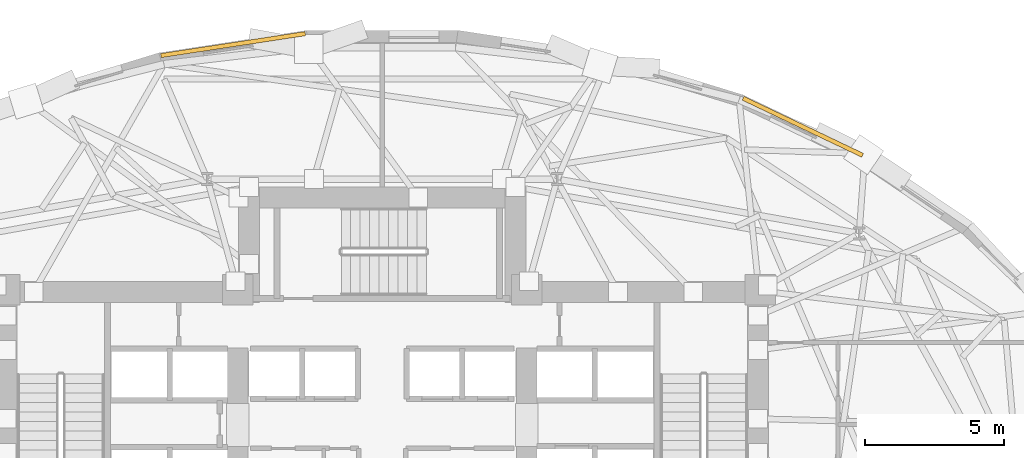
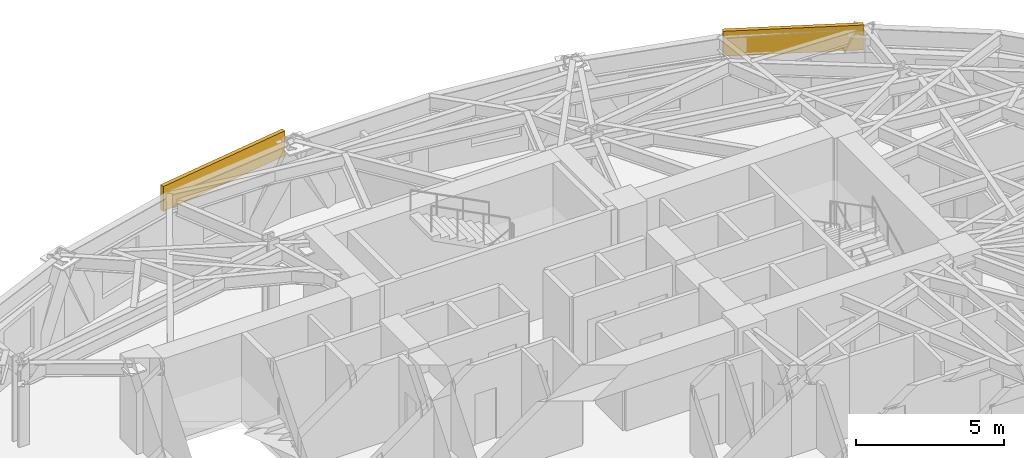
# One storey, part 15 of 15: 2 coverings.
"""IFC4 building model written with IfcOpenShell, lengths in metres."""

from ifc_helpers import new_model, si_unit, direction, frame, origin, origin_2d, place, context, subcontext, project, spatial, rectangle, extrude, material, layer, layer_set, type_object, element, save


model = new_model("IFC4")

# Units and contexts
model_context = context("Model", 3, precision=1e-05, world=origin(), true_north=direction((0.0, 1.0)))
body_context = subcontext(model_context, "Body", "Model", "MODEL_VIEW")
ifc_project = project(units=[si_unit("LENGTHUNIT", "METRE"), si_unit("AREAUNIT", "SQUARE_METRE"), si_unit("VOLUMEUNIT", "CUBIC_METRE"), si_unit("PLANEANGLEUNIT", "RADIAN"), si_unit("MASSUNIT", "GRAM", prefix="KILO")], contexts=[model_context])

# Site, building, storey
site_placement = place(None, origin())
site = spatial("IfcSite", under=ifc_project, at=site_placement, CompositionType="ELEMENT")
building_placement = place(site_placement, origin())
building = spatial("IfcBuilding", under=site, at=building_placement, Name="Keldmark Tower", CompositionType="ELEMENT")
storey_placement = place(building_placement, frame((0.0, 0.0, 110.60009765625)))
storey = spatial("IfcBuildingStorey", under=building, at=storey_placement, Name="L29", CompositionType="ELEMENT", Elevation=110.60009765625)

# Coverings
ifc_material = material(Name="Honed Kasota Buff Dolomitic Limestone", Category="masonry")
ifc_layer = layer(ifc_material, 0.074951171875)
ifc_layer_set = layer_set([ifc_layer], Name="Honed Kasota Buff Dolomitic Limestone")
covering_type = type_object("IfcCoveringType", Name="Kasota Buff Limestone Spandrel Cladding Band", PredefinedType="CLADDING", material=ifc_layer_set)
covering_1_placement = place(storey_placement, frame((15.139892578125, 15.31689453125, 2.45166015625), z_axis=(0.0, 0.0, 1.0), x_axis=(-0.902367267498, 0.430967881109, 0.0)))
element("IfcCovering", 1, at=covering_1_placement, inside=storey, type_object=covering_type, Name="L29 Kasota Limestone Spandrel Band 05", PredefinedType="CLADDING", context=body_context, shape_type="SweptSolid", body=[
    extrude(rectangle(XDim=4.76171875, YDim=0.14990234375, at=origin_2d()), origin(), (0.0, 0.0, 1.0), 1.028076171875),
])
covering_2_placement = place(storey_placement, frame((-5.37109375, 18.275146484375, 2.45166015625), z_axis=(0.0, 0.0, 1.0), x_axis=(-0.988622885275, -0.15041539386, 0.0)))
element("IfcCovering", 2, at=covering_2_placement, inside=storey, type_object=covering_type, Name="L29 Kasota Limestone Spandrel Band 09", PredefinedType="CLADDING", context=body_context, shape_type="SweptSolid", body=[
    extrude(rectangle(XDim=5.257080078125, YDim=0.14990234375, at=origin_2d()), origin(), (0.0, 0.0, 1.0), 1.028076171875),
])

save(model, "model.ifc")
